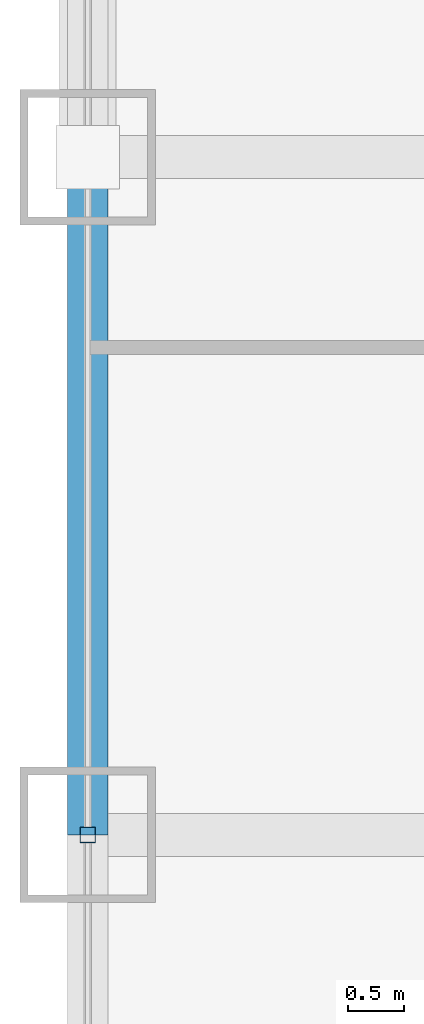
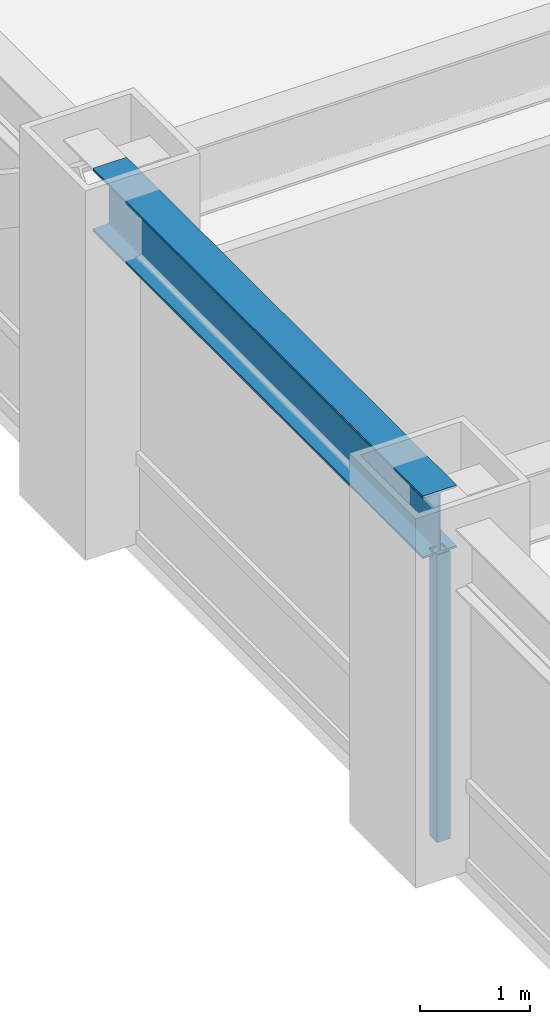
# One storey, part 8 of 28: 1 beam, 1 member, 1 element without a shape of its own.
"""IFC4 building model written with IfcOpenShell, lengths in metres."""

from ifc_helpers import new_model, si_unit, direction, frame, origin, origin_2d, place, context, subcontext, project, spatial, hollow_rectangle, i_section, extrude, source, transform, mapped, material, material_profile, profile_set, type_object, element, aggregate, save


model = new_model("IFC4")

# Units and contexts
model_context = context("Model", 3, precision=1e-05, world=origin(), true_north=direction((0.0, 1.0)))
body_context = subcontext(model_context, "Body", "Model", "MODEL_VIEW")
ifc_project = project(units=[si_unit("LENGTHUNIT", "METRE"), si_unit("AREAUNIT", "SQUARE_METRE"), si_unit("VOLUMEUNIT", "CUBIC_METRE"), si_unit("PLANEANGLEUNIT", "RADIAN"), si_unit("MASSUNIT", "GRAM", prefix="KILO")], contexts=[model_context])

# Site, building, storey
site_placement = place(None, origin())
site = spatial("IfcSite", under=ifc_project, at=site_placement, CompositionType="ELEMENT")
building_placement = place(site_placement, origin())
building = spatial("IfcBuilding", under=site, at=building_placement, Name="Khorayat Bourse Tower", CompositionType="ELEMENT")
storey_placement = place(building_placement, frame((0.0, 0.0, 120.10009765625)))
storey = spatial("IfcBuildingStorey", under=building, at=storey_placement, Name="L27", CompositionType="ELEMENT", Elevation=120.10009765625)

# Beam
ifc_material_1 = material(Name="Steel ASTM A992 Grade 50", Category="steel")
ifc_material_profile_1 = material_profile(ifc_material_1, i_section(OverallWidth=0.35498046875, OverallDepth=0.695068359375, WebThickness=0.015380859375, FlangeThickness=0.02490234375, FilletRadius=0.01806640625, at=origin_2d()), Name="W690X217")
ifc_profile_set_1 = profile_set([ifc_material_profile_1], Name="Steel ASTM A992 Grade 50")
beam_type = type_object("IfcBeamType", Name="BM-SPAN-690", PredefinedType="SPANDREL", material=ifc_profile_set_1)
shared_shape_1 = source(origin(), body_context, "Body", "SweptSolid", [
    extrude(i_section(OverallWidth=0.35498046875, OverallDepth=0.695068359375, WebThickness=0.015380859375, FlangeThickness=0.02490234375, FilletRadius=0.01806640625, at=origin_2d()), origin(), (0.0, 0.0, 1.0), 6.0),
])
beam_placement = place(storey_placement, frame((-32.0, 0.0, 3.492431640625), z_axis=(0.0, 1.0, 0.0), x_axis=(-1.0, 0.0, 0.0)))
element("IfcBeam", 1, at=beam_placement, inside=storey, type_object=beam_type, Name="L27 BM-SPAN-690 BM-L27-SPN-057", PredefinedType="SPANDREL", context=body_context, shape_type="MappedRepresentation", body=[
    mapped(shared_shape_1, transform((0.0, 0.0, 0.0), scale=1.0)),
])

# Curtain wall, member
ifc_material_2 = material(Name="Aluminium EN AW-6063 T6", Category="aluminium")
curtain_wall_type = type_object("IfcCurtainWallType", Name="CW-SYS-02", PredefinedType="NOTDEFINED", material=ifc_material_2)
curtain_wall_placement = place(storey_placement, origin())
curtain_wall = element("IfcCurtainWall", 2, at=curtain_wall_placement, inside=storey, type_object=curtain_wall_type, Name="L27 Curtain Wall CW-L27-W1", PredefinedType="NOTDEFINED")
ifc_material_profile_2 = material_profile(ifc_material_2, hollow_rectangle(XDim=0.139892578125, YDim=0.139892578125, WallThickness=0.006103515625, at=origin_2d()), Name="ALU 140x140x6")
ifc_profile_set_2 = profile_set([ifc_material_profile_2], Name="Aluminium EN AW-6063 T6")
member_type = type_object("IfcMemberType", Name="CWM-VERT-140", PredefinedType="MULLION", material=ifc_profile_set_2)
shared_shape_2 = source(origin(), body_context, "Body", "SweptSolid", [
    extrude(hollow_rectangle(XDim=0.139892578125, YDim=0.139892578125, WallThickness=0.006103515625, at=origin_2d()), origin(), (0.0, 0.0, 1.0), 3.18994140625),
])
member_placement = place(storey_placement, frame((-32.0, 0.0, 0.0), z_axis=(0.0, 0.0, 1.0), x_axis=(-1.0, 0.0, 0.0)))
member = element("IfcMember", 3, at=member_placement, type_object=member_type, Name="CW-L27-W1 Vertical Mullion 2", PredefinedType="MULLION", context=body_context, shape_type="MappedRepresentation", body=[
    mapped(shared_shape_2, transform((0.0, 0.0, 0.0), scale=1.0)),
])
aggregate(curtain_wall, [member])

save(model, "model.ifc")
